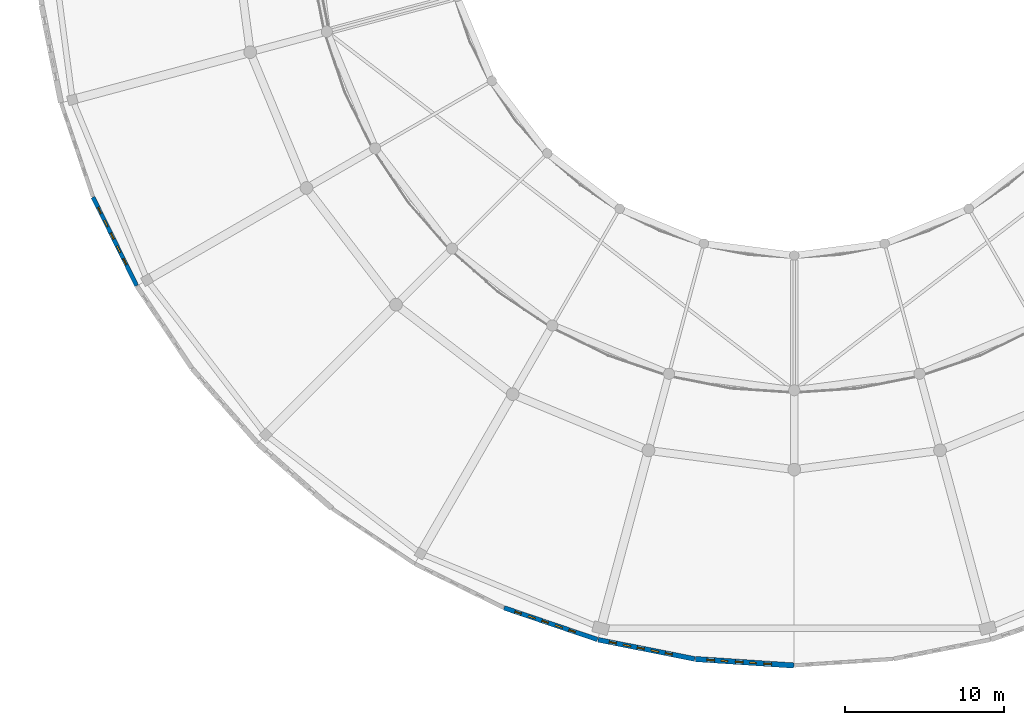
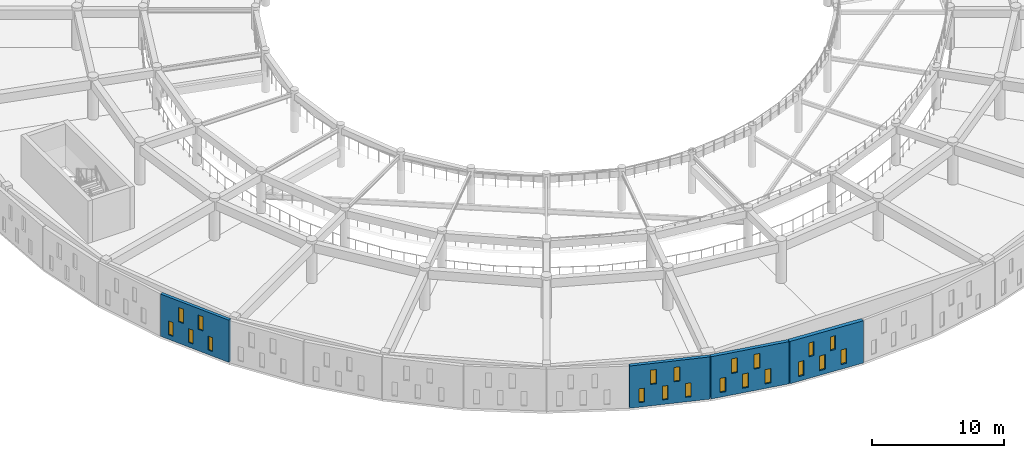
# One storey, part 54 of 98: 20 windows, 4 walls, 20 openings.
"""IFC4 building model written with IfcOpenShell, lengths in metres."""

from ifc_helpers import new_model, si_unit, direction, frame, frame_2d, origin, place, context, subcontext, project, spatial, rectangle, extrude, material, layer, layer_set, type_object, element, fill, save


model = new_model("IFC4")

# Units and contexts
model_context = context("Model", 3, precision=1e-05, world=origin(), true_north=direction((0.0, 1.0)))
body_context = subcontext(model_context, "Body", "Model", "MODEL_VIEW")
ifc_project = project(units=[si_unit("LENGTHUNIT", "METRE"), si_unit("AREAUNIT", "SQUARE_METRE"), si_unit("VOLUMEUNIT", "CUBIC_METRE"), si_unit("PLANEANGLEUNIT", "RADIAN"), si_unit("MASSUNIT", "GRAM", prefix="KILO")], contexts=[model_context])

# Site, building, storey
site_placement = place(None, origin())
site = spatial("IfcSite", under=ifc_project, at=site_placement, CompositionType="ELEMENT")
building_placement = place(site_placement, origin())
building = spatial("IfcBuilding", under=site, at=building_placement, Name="Larkveld Mobility Hub", CompositionType="ELEMENT")
storey_placement = place(building_placement, frame((0.0, 0.0, 4.5)))
storey = spatial("IfcBuildingStorey", under=building, at=storey_placement, Name="L01", CompositionType="ELEMENT", Elevation=4.5)

# Wall, openings, windows
ifc_material_1 = material(Name="Fired clay brick 25 MPa", Category="masonry")
ifc_layer_1 = layer(ifc_material_1, 0.260009765625, Name="Fired clay brick 25 MPa", Category="masonry")
ifc_layer_set_1 = layer_set([ifc_layer_1], Name="Fired clay brick 25 MPa")
wall_type_1 = type_object("IfcWallType", Name="WL-BRK-260", PredefinedType="USERDEFINED", material=ifc_layer_set_1)
wall_1_placement = place(storey_placement, frame((3.802978515625, 29.6669921875, 0.0), z_axis=(0.0, 0.0, 1.0), x_axis=(0.442316740488, -0.896858908126, 0.0)))
wall_1 = element("IfcWall", 1, at=wall_1_placement, inside=storey, type_object=wall_type_1, Name="Drum Woven Open-Bond Brick Chord L01-0072", ObjectType="PERFORATED BRICK SCREEN", PredefinedType="USERDEFINED", context=body_context, shape_type="SweptSolid", body=[
    extrude(rectangle(XDim=6.210693359375, YDim=0.260009765625, at=frame_2d((3.10546875, 0.0))), origin(), (0.0, 0.0, 1.0), 3.89990234375),
])
opening_1_placement = place(wall_1_placement, frame((0.719970703125, 0.0, 0.419921875)))
opening_1 = element("IfcOpeningElement", 2, at=opening_1_placement, cuts=wall_1, Name="Opening W01", PredefinedType="OPENING", context=body_context, shape_type="SweptSolid", body=[
    extrude(rectangle(XDim=0.419921875, YDim=1.280029296875, at=frame_2d((0.2099609375, 0.64013671875))), frame((0.0, 0.14013671875, 0.0), z_axis=(0.0, -1.0, 0.0), x_axis=(1.0, 0.0, 0.0)), (0.0, 0.0, 1.0), 0.280029296875),
])
opening_2_placement = place(wall_1_placement, frame((2.52001953125, 0.0, 0.419921875)))
opening_2 = element("IfcOpeningElement", 3, at=opening_2_placement, cuts=wall_1, Name="Opening W01", PredefinedType="OPENING", context=body_context, shape_type="SweptSolid", body=[
    extrude(rectangle(XDim=0.419921875, YDim=1.280029296875, at=frame_2d((0.2099609375, 0.64013671875))), frame((0.0, 0.14013671875, 0.0), z_axis=(0.0, -1.0, 0.0), x_axis=(1.0, 0.0, 0.0)), (0.0, 0.0, 1.0), 0.280029296875),
])
opening_3_placement = place(wall_1_placement, frame((4.320068359375, 0.0, 0.419921875)))
opening_3 = element("IfcOpeningElement", 4, at=opening_3_placement, cuts=wall_1, Name="Opening W01", PredefinedType="OPENING", context=body_context, shape_type="SweptSolid", body=[
    extrude(rectangle(XDim=0.419921875, YDim=1.280029296875, at=frame_2d((0.2099609375, 0.64013671875))), frame((0.0, 0.14013671875, 0.0), z_axis=(0.0, -1.0, 0.0), x_axis=(1.0, 0.0, 0.0)), (0.0, 0.0, 1.0), 0.280029296875),
])
opening_4_placement = place(wall_1_placement, frame((1.6201171875, 0.0, 1.97998046875)))
opening_4 = element("IfcOpeningElement", 5, at=opening_4_placement, cuts=wall_1, Name="Opening W02", PredefinedType="OPENING", context=body_context, shape_type="SweptSolid", body=[
    extrude(rectangle(XDim=0.449951171875, YDim=1.320068359375, at=frame_2d((0.22509765625, 0.66015625))), frame((0.0, 0.14013671875, 0.0), z_axis=(0.0, -1.0, 0.0), x_axis=(1.0, 0.0, 0.0)), (0.0, 0.0, 1.0), 0.280029296875),
])
opening_5_placement = place(wall_1_placement, frame((3.419921875, 0.0, 1.97998046875)))
opening_5 = element("IfcOpeningElement", 6, at=opening_5_placement, cuts=wall_1, Name="Opening W02", PredefinedType="OPENING", context=body_context, shape_type="SweptSolid", body=[
    extrude(rectangle(XDim=0.449951171875, YDim=1.320068359375, at=frame_2d((0.22509765625, 0.66015625))), frame((0.0, 0.14013671875, 0.0), z_axis=(0.0, -1.0, 0.0), x_axis=(1.0, 0.0, 0.0)), (0.0, 0.0, 1.0), 0.280029296875),
])
ifc_material_2 = material(Name="Extruded aluminium ventilation grille", Category="aluminium")
window_type_1 = type_object("IfcWindowType", Name="WN-VENT-01", PartitioningType="SINGLE_PANEL", PredefinedType="WINDOW", material=ifc_material_2)
window_1_placement = place(opening_1_placement, origin())
window_1 = element("IfcWindow", 7, at=window_1_placement, inside=storey, type_object=window_type_1, Name="Window W01 (0346)", OverallHeight=1.280029296875, OverallWidth=0.419921875, PartitioningType="SINGLE_PANEL", PredefinedType="WINDOW", context=body_context, shape_type="SweptSolid", body=[
    extrude(rectangle(XDim=0.419921875, YDim=1.280029296875, at=frame_2d((0.2099609375, 0.64013671875))), frame((0.0, 0.030029296875, 0.0), z_axis=(0.0, -1.0, 0.0), x_axis=(1.0, 0.0, 0.0)), (0.0, 0.0, 1.0), 0.06005859375),
])
fill(opening_1, window_1)
window_2_placement = place(opening_2_placement, origin())
window_2 = element("IfcWindow", 8, at=window_2_placement, inside=storey, type_object=window_type_1, Name="Window W01 (0347)", OverallHeight=1.280029296875, OverallWidth=0.419921875, PartitioningType="SINGLE_PANEL", PredefinedType="WINDOW", context=body_context, shape_type="SweptSolid", body=[
    extrude(rectangle(XDim=0.419921875, YDim=1.280029296875, at=frame_2d((0.2099609375, 0.64013671875))), frame((0.0, 0.030029296875, 0.0), z_axis=(0.0, -1.0, 0.0), x_axis=(1.0, 0.0, 0.0)), (0.0, 0.0, 1.0), 0.06005859375),
])
fill(opening_2, window_2)
window_3_placement = place(opening_3_placement, origin())
window_3 = element("IfcWindow", 9, at=window_3_placement, inside=storey, type_object=window_type_1, Name="Window W01 (0348)", OverallHeight=1.280029296875, OverallWidth=0.419921875, PartitioningType="SINGLE_PANEL", PredefinedType="WINDOW", context=body_context, shape_type="SweptSolid", body=[
    extrude(rectangle(XDim=0.419921875, YDim=1.280029296875, at=frame_2d((0.2099609375, 0.64013671875))), frame((0.0, 0.030029296875, 0.0), z_axis=(0.0, -1.0, 0.0), x_axis=(1.0, 0.0, 0.0)), (0.0, 0.0, 1.0), 0.06005859375),
])
fill(opening_3, window_3)
window_type_2 = type_object("IfcWindowType", Name="WN-VENT-02", PartitioningType="SINGLE_PANEL", PredefinedType="WINDOW", material=ifc_material_2)
window_4_placement = place(opening_4_placement, origin())
window_4 = element("IfcWindow", 10, at=window_4_placement, inside=storey, type_object=window_type_2, Name="Window W02 (0349)", OverallHeight=1.320068359375, OverallWidth=0.449951171875, PartitioningType="SINGLE_PANEL", PredefinedType="WINDOW", context=body_context, shape_type="SweptSolid", body=[
    extrude(rectangle(XDim=0.449951171875, YDim=1.320068359375, at=frame_2d((0.22509765625, 0.66015625))), frame((0.0, 0.030029296875, 0.0), z_axis=(0.0, -1.0, 0.0), x_axis=(1.0, 0.0, 0.0)), (0.0, 0.0, 1.0), 0.06005859375),
])
fill(opening_4, window_4)
window_5_placement = place(opening_5_placement, origin())
window_5 = element("IfcWindow", 11, at=window_5_placement, inside=storey, type_object=window_type_2, Name="Window W02 (0350)", OverallHeight=1.320068359375, OverallWidth=0.449951171875, PartitioningType="SINGLE_PANEL", PredefinedType="WINDOW", context=body_context, shape_type="SweptSolid", body=[
    extrude(rectangle(XDim=0.449951171875, YDim=1.320068359375, at=frame_2d((0.22509765625, 0.66015625))), frame((0.0, 0.030029296875, 0.0), z_axis=(0.0, -1.0, 0.0), x_axis=(1.0, 0.0, 0.0)), (0.0, 0.0, 1.0), 0.06005859375),
])
fill(opening_5, window_5)

ifc_layer_2 = layer(ifc_material_1, 0.2900390625, Name="Fired clay brick 25 MPa", Category="masonry")
ifc_layer_set_2 = layer_set([ifc_layer_2], Name="Fired clay brick 25 MPa")
wall_type_2 = type_object("IfcWallType", Name="WL-BRK-290", PredefinedType="USERDEFINED", material=ifc_layer_set_2)
wall_2_placement = place(storey_placement, frame((29.7119140625, 3.783935546875, 0.0), z_axis=(0.0, 0.0, 1.0), x_axis=(0.946955417172, -0.321364960579, 0.0)))
wall_2 = element("IfcWall", 12, at=wall_2_placement, inside=storey, type_object=wall_type_2, Name="Drum Woven Open-Bond Brick Chord L01-0078", ObjectType="PERFORATED BRICK SCREEN", PredefinedType="USERDEFINED", context=body_context, shape_type="SweptSolid", body=[
    extrude(rectangle(XDim=6.21044921875, YDim=0.2900390625, at=frame_2d((3.105224609375, 0.0))), origin(), (0.0, 0.0, 1.0), 3.89990234375),
])
opening_6_placement = place(wall_2_placement, frame((0.719970703125, 0.0, 0.419921875)))
opening_6 = element("IfcOpeningElement", 13, at=opening_6_placement, cuts=wall_2, Name="Opening W01", PredefinedType="OPENING", context=body_context, shape_type="SweptSolid", body=[
    extrude(rectangle(XDim=0.419921875, YDim=1.280029296875, at=frame_2d((0.2099609375, 0.64013671875))), frame((0.0, 0.155029296875, 0.0), z_axis=(0.0, -1.0, 0.0), x_axis=(1.0, 0.0, 0.0)), (0.0, 0.0, 1.0), 0.31005859375),
])
opening_7_placement = place(wall_2_placement, frame((2.52001953125, 0.0, 0.419921875)))
opening_7 = element("IfcOpeningElement", 14, at=opening_7_placement, cuts=wall_2, Name="Opening W01", PredefinedType="OPENING", context=body_context, shape_type="SweptSolid", body=[
    extrude(rectangle(XDim=0.419921875, YDim=1.280029296875, at=frame_2d((0.2099609375, 0.64013671875))), frame((0.0, 0.155029296875, 0.0), z_axis=(0.0, -1.0, 0.0), x_axis=(1.0, 0.0, 0.0)), (0.0, 0.0, 1.0), 0.31005859375),
])
opening_8_placement = place(wall_2_placement, frame((4.320068359375, 0.0, 0.419921875)))
opening_8 = element("IfcOpeningElement", 15, at=opening_8_placement, cuts=wall_2, Name="Opening W01", PredefinedType="OPENING", context=body_context, shape_type="SweptSolid", body=[
    extrude(rectangle(XDim=0.419921875, YDim=1.280029296875, at=frame_2d((0.2099609375, 0.64013671875))), frame((0.0, 0.155029296875, 0.0), z_axis=(0.0, -1.0, 0.0), x_axis=(1.0, 0.0, 0.0)), (0.0, 0.0, 1.0), 0.31005859375),
])
opening_9_placement = place(wall_2_placement, frame((1.6201171875, 0.0, 1.97998046875)))
opening_9 = element("IfcOpeningElement", 16, at=opening_9_placement, cuts=wall_2, Name="Opening W02", PredefinedType="OPENING", context=body_context, shape_type="SweptSolid", body=[
    extrude(rectangle(XDim=0.449951171875, YDim=1.320068359375, at=frame_2d((0.22509765625, 0.66015625))), frame((0.0, 0.155029296875, 0.0), z_axis=(0.0, -1.0, 0.0), x_axis=(1.0, 0.0, 0.0)), (0.0, 0.0, 1.0), 0.31005859375),
])
opening_10_placement = place(wall_2_placement, frame((3.419921875, 0.0, 1.97998046875)))
opening_10 = element("IfcOpeningElement", 17, at=opening_10_placement, cuts=wall_2, Name="Opening W02", PredefinedType="OPENING", context=body_context, shape_type="SweptSolid", body=[
    extrude(rectangle(XDim=0.449951171875, YDim=1.320068359375, at=frame_2d((0.22509765625, 0.66015625))), frame((0.0, 0.155029296875, 0.0), z_axis=(0.0, -1.0, 0.0), x_axis=(1.0, 0.0, 0.0)), (0.0, 0.0, 1.0), 0.31005859375),
])
window_6_placement = place(opening_6_placement, origin())
window_6 = element("IfcWindow", 18, at=window_6_placement, inside=storey, type_object=window_type_1, Name="Window W01 (0376)", OverallHeight=1.280029296875, OverallWidth=0.419921875, PartitioningType="SINGLE_PANEL", PredefinedType="WINDOW", context=body_context, shape_type="SweptSolid", body=[
    extrude(rectangle(XDim=0.419921875, YDim=1.280029296875, at=frame_2d((0.2099609375, 0.64013671875))), frame((0.0, 0.030029296875, 0.0), z_axis=(0.0, -1.0, 0.0), x_axis=(1.0, 0.0, 0.0)), (0.0, 0.0, 1.0), 0.06005859375),
])
fill(opening_6, window_6)
window_7_placement = place(opening_7_placement, origin())
window_7 = element("IfcWindow", 19, at=window_7_placement, inside=storey, type_object=window_type_1, Name="Window W01 (0377)", OverallHeight=1.280029296875, OverallWidth=0.419921875, PartitioningType="SINGLE_PANEL", PredefinedType="WINDOW", context=body_context, shape_type="SweptSolid", body=[
    extrude(rectangle(XDim=0.419921875, YDim=1.280029296875, at=frame_2d((0.2099609375, 0.64013671875))), frame((0.0, 0.030029296875, 0.0), z_axis=(0.0, -1.0, 0.0), x_axis=(1.0, 0.0, 0.0)), (0.0, 0.0, 1.0), 0.06005859375),
])
fill(opening_7, window_7)
window_8_placement = place(opening_8_placement, origin())
window_8 = element("IfcWindow", 20, at=window_8_placement, inside=storey, type_object=window_type_1, Name="Window W01 (0378)", OverallHeight=1.280029296875, OverallWidth=0.419921875, PartitioningType="SINGLE_PANEL", PredefinedType="WINDOW", context=body_context, shape_type="SweptSolid", body=[
    extrude(rectangle(XDim=0.419921875, YDim=1.280029296875, at=frame_2d((0.2099609375, 0.64013671875))), frame((0.0, 0.030029296875, 0.0), z_axis=(0.0, -1.0, 0.0), x_axis=(1.0, 0.0, 0.0)), (0.0, 0.0, 1.0), 0.06005859375),
])
fill(opening_8, window_8)
window_9_placement = place(opening_9_placement, origin())
window_9 = element("IfcWindow", 21, at=window_9_placement, inside=storey, type_object=window_type_2, Name="Window W02 (0379)", OverallHeight=1.320068359375, OverallWidth=0.449951171875, PartitioningType="SINGLE_PANEL", PredefinedType="WINDOW", context=body_context, shape_type="SweptSolid", body=[
    extrude(rectangle(XDim=0.449951171875, YDim=1.320068359375, at=frame_2d((0.22509765625, 0.66015625))), frame((0.0, 0.030029296875, 0.0), z_axis=(0.0, -1.0, 0.0), x_axis=(1.0, 0.0, 0.0)), (0.0, 0.0, 1.0), 0.06005859375),
])
fill(opening_9, window_9)
window_10_placement = place(opening_10_placement, origin())
window_10 = element("IfcWindow", 22, at=window_10_placement, inside=storey, type_object=window_type_2, Name="Window W02 (0380)", OverallHeight=1.320068359375, OverallWidth=0.449951171875, PartitioningType="SINGLE_PANEL", PredefinedType="WINDOW", context=body_context, shape_type="SweptSolid", body=[
    extrude(rectangle(XDim=0.449951171875, YDim=1.320068359375, at=frame_2d((0.22509765625, 0.66015625))), frame((0.0, 0.030029296875, 0.0), z_axis=(0.0, -1.0, 0.0), x_axis=(1.0, 0.0, 0.0)), (0.0, 0.0, 1.0), 0.06005859375),
])
fill(opening_10, window_10)

ifc_layer_3 = layer(ifc_material_1, 0.31005859375, Name="Fired clay brick 25 MPa", Category="masonry")
ifc_layer_set_3 = layer_set([ifc_layer_3], Name="Fired clay brick 25 MPa")
wall_type_3 = type_object("IfcWallType", Name="WL-BRK-310", PredefinedType="USERDEFINED", material=ifc_layer_set_3)
wall_3_placement = place(storey_placement, frame((35.639892578125, 1.77490234375, 0.0), z_axis=(0.0, 0.0, 1.0), x_axis=(0.980799338869, -0.195019632022, 0.0)))
wall_3 = element("IfcWall", 23, at=wall_3_placement, inside=storey, type_object=wall_type_3, Name="Drum Woven Open-Bond Brick Chord L01-0079", ObjectType="PERFORATED BRICK SCREEN", PredefinedType="USERDEFINED", context=body_context, shape_type="SweptSolid", body=[
    extrude(rectangle(XDim=6.209228515625, YDim=0.31005859375, at=frame_2d((3.1044921875, 0.0))), origin(), (0.0, 0.0, 1.0), 3.89990234375),
])
opening_11_placement = place(wall_3_placement, frame((0.719970703125, 0.0, 0.419921875)))
opening_11 = element("IfcOpeningElement", 24, at=opening_11_placement, cuts=wall_3, Name="Opening W02", PredefinedType="OPENING", context=body_context, shape_type="SweptSolid", body=[
    extrude(rectangle(XDim=0.449951171875, YDim=1.320068359375, at=frame_2d((0.22509765625, 0.66015625))), frame((0.0, 0.1650390625, 0.0), z_axis=(0.0, -1.0, 0.0), x_axis=(1.0, 0.0, 0.0)), (0.0, 0.0, 1.0), 0.330078125),
])
opening_12_placement = place(wall_3_placement, frame((2.52001953125, 0.0, 0.419921875)))
opening_12 = element("IfcOpeningElement", 25, at=opening_12_placement, cuts=wall_3, Name="Opening W02", PredefinedType="OPENING", context=body_context, shape_type="SweptSolid", body=[
    extrude(rectangle(XDim=0.449951171875, YDim=1.320068359375, at=frame_2d((0.22509765625, 0.66015625))), frame((0.0, 0.1650390625, 0.0), z_axis=(0.0, -1.0, 0.0), x_axis=(1.0, 0.0, 0.0)), (0.0, 0.0, 1.0), 0.330078125),
])
opening_13_placement = place(wall_3_placement, frame((4.320068359375, 0.0, 0.419921875)))
opening_13 = element("IfcOpeningElement", 26, at=opening_13_placement, cuts=wall_3, Name="Opening W02", PredefinedType="OPENING", context=body_context, shape_type="SweptSolid", body=[
    extrude(rectangle(XDim=0.449951171875, YDim=1.320068359375, at=frame_2d((0.22509765625, 0.66015625))), frame((0.0, 0.1650390625, 0.0), z_axis=(0.0, -1.0, 0.0), x_axis=(1.0, 0.0, 0.0)), (0.0, 0.0, 1.0), 0.330078125),
])
opening_14_placement = place(wall_3_placement, frame((1.6201171875, 0.0, 1.97998046875)))
opening_14 = element("IfcOpeningElement", 27, at=opening_14_placement, cuts=wall_3, Name="Opening W03", PredefinedType="OPENING", context=body_context, shape_type="SweptSolid", body=[
    extrude(rectangle(XDim=0.47998046875, YDim=1.360107421875, at=frame_2d((0.239990234375, 0.68017578125))), frame((0.0, 0.1650390625, 0.0), z_axis=(0.0, -1.0, 0.0), x_axis=(1.0, 0.0, 0.0)), (0.0, 0.0, 1.0), 0.330078125),
])
opening_15_placement = place(wall_3_placement, frame((3.419921875, 0.0, 1.97998046875)))
opening_15 = element("IfcOpeningElement", 28, at=opening_15_placement, cuts=wall_3, Name="Opening W03", PredefinedType="OPENING", context=body_context, shape_type="SweptSolid", body=[
    extrude(rectangle(XDim=0.47998046875, YDim=1.360107421875, at=frame_2d((0.239990234375, 0.68017578125))), frame((0.0, 0.1650390625, 0.0), z_axis=(0.0, -1.0, 0.0), x_axis=(1.0, 0.0, 0.0)), (0.0, 0.0, 1.0), 0.330078125),
])
window_11_placement = place(opening_11_placement, origin())
window_11 = element("IfcWindow", 29, at=window_11_placement, inside=storey, type_object=window_type_2, Name="Window W02 (0381)", OverallHeight=1.320068359375, OverallWidth=0.449951171875, PartitioningType="SINGLE_PANEL", PredefinedType="WINDOW", context=body_context, shape_type="SweptSolid", body=[
    extrude(rectangle(XDim=0.449951171875, YDim=1.320068359375, at=frame_2d((0.22509765625, 0.66015625))), frame((0.0, 0.030029296875, 0.0), z_axis=(0.0, -1.0, 0.0), x_axis=(1.0, 0.0, 0.0)), (0.0, 0.0, 1.0), 0.06005859375),
])
fill(opening_11, window_11)
window_12_placement = place(opening_12_placement, origin())
window_12 = element("IfcWindow", 30, at=window_12_placement, inside=storey, type_object=window_type_2, Name="Window W02 (0382)", OverallHeight=1.320068359375, OverallWidth=0.449951171875, PartitioningType="SINGLE_PANEL", PredefinedType="WINDOW", context=body_context, shape_type="SweptSolid", body=[
    extrude(rectangle(XDim=0.449951171875, YDim=1.320068359375, at=frame_2d((0.22509765625, 0.66015625))), frame((0.0, 0.030029296875, 0.0), z_axis=(0.0, -1.0, 0.0), x_axis=(1.0, 0.0, 0.0)), (0.0, 0.0, 1.0), 0.06005859375),
])
fill(opening_12, window_12)
window_13_placement = place(opening_13_placement, origin())
window_13 = element("IfcWindow", 31, at=window_13_placement, inside=storey, type_object=window_type_2, Name="Window W02 (0383)", OverallHeight=1.320068359375, OverallWidth=0.449951171875, PartitioningType="SINGLE_PANEL", PredefinedType="WINDOW", context=body_context, shape_type="SweptSolid", body=[
    extrude(rectangle(XDim=0.449951171875, YDim=1.320068359375, at=frame_2d((0.22509765625, 0.66015625))), frame((0.0, 0.030029296875, 0.0), z_axis=(0.0, -1.0, 0.0), x_axis=(1.0, 0.0, 0.0)), (0.0, 0.0, 1.0), 0.06005859375),
])
fill(opening_13, window_13)
window_type_3 = type_object("IfcWindowType", Name="WN-VENT-03", PartitioningType="SINGLE_PANEL", PredefinedType="WINDOW", material=ifc_material_2)
window_14_placement = place(opening_14_placement, origin())
window_14 = element("IfcWindow", 32, at=window_14_placement, inside=storey, type_object=window_type_3, Name="Window W03 (0384)", OverallHeight=1.360107421875, OverallWidth=0.47998046875, PartitioningType="SINGLE_PANEL", PredefinedType="WINDOW", context=body_context, shape_type="SweptSolid", body=[
    extrude(rectangle(XDim=0.47998046875, YDim=1.360107421875, at=frame_2d((0.239990234375, 0.68017578125))), frame((0.0, 0.030029296875, 0.0), z_axis=(0.0, -1.0, 0.0), x_axis=(1.0, 0.0, 0.0)), (0.0, 0.0, 1.0), 0.06005859375),
])
fill(opening_14, window_14)
window_15_placement = place(opening_15_placement, origin())
window_15 = element("IfcWindow", 33, at=window_15_placement, inside=storey, type_object=window_type_3, Name="Window W03 (0385)", OverallHeight=1.360107421875, OverallWidth=0.47998046875, PartitioningType="SINGLE_PANEL", PredefinedType="WINDOW", context=body_context, shape_type="SweptSolid", body=[
    extrude(rectangle(XDim=0.47998046875, YDim=1.360107421875, at=frame_2d((0.239990234375, 0.68017578125))), frame((0.0, 0.030029296875, 0.0), z_axis=(0.0, -1.0, 0.0), x_axis=(1.0, 0.0, 0.0)), (0.0, 0.0, 1.0), 0.06005859375),
])
fill(opening_15, window_15)

ifc_layer_4 = layer(ifc_material_1, 0.340087890625, Name="Fired clay brick 25 MPa", Category="masonry")
ifc_layer_set_4 = layer_set([ifc_layer_4], Name="Fired clay brick 25 MPa")
wall_type_4 = type_object("IfcWallType", Name="WL-BRK-340", PredefinedType="USERDEFINED", material=ifc_layer_set_4)
wall_4_placement = place(storey_placement, frame((41.778076171875, 0.556884765625, 0.0), z_axis=(0.0, 0.0, 1.0), x_axis=(0.997874164219, -0.065170180182, 0.0)))
wall_4 = element("IfcWall", 34, at=wall_4_placement, inside=storey, type_object=wall_type_4, Name="Drum Woven Open-Bond Brick Chord L01-0080", ObjectType="PERFORATED BRICK SCREEN", PredefinedType="USERDEFINED", context=body_context, shape_type="SweptSolid", body=[
    extrude(rectangle(XDim=6.211181640625, YDim=0.340087890625, at=frame_2d((3.10546875, 0.0))), origin(), (0.0, 0.0, 1.0), 3.89990234375),
])
opening_16_placement = place(wall_4_placement, frame((0.719970703125, 0.0, 0.419921875)))
opening_16 = element("IfcOpeningElement", 35, at=opening_16_placement, cuts=wall_4, Name="Opening W03", PredefinedType="OPENING", context=body_context, shape_type="SweptSolid", body=[
    extrude(rectangle(XDim=0.47998046875, YDim=1.360107421875, at=frame_2d((0.239990234375, 0.68017578125))), frame((0.0, 0.18017578125, 0.0), z_axis=(0.0, -1.0, 0.0), x_axis=(1.0, 0.0, 0.0)), (0.0, 0.0, 1.0), 0.360107421875),
])
opening_17_placement = place(wall_4_placement, frame((2.52001953125, 0.0, 0.419921875)))
opening_17 = element("IfcOpeningElement", 36, at=opening_17_placement, cuts=wall_4, Name="Opening W03", PredefinedType="OPENING", context=body_context, shape_type="SweptSolid", body=[
    extrude(rectangle(XDim=0.47998046875, YDim=1.360107421875, at=frame_2d((0.239990234375, 0.68017578125))), frame((0.0, 0.18017578125, 0.0), z_axis=(0.0, -1.0, 0.0), x_axis=(1.0, 0.0, 0.0)), (0.0, 0.0, 1.0), 0.360107421875),
])
opening_18_placement = place(wall_4_placement, frame((4.320068359375, 0.0, 0.419921875)))
opening_18 = element("IfcOpeningElement", 37, at=opening_18_placement, cuts=wall_4, Name="Opening W03", PredefinedType="OPENING", context=body_context, shape_type="SweptSolid", body=[
    extrude(rectangle(XDim=0.47998046875, YDim=1.360107421875, at=frame_2d((0.239990234375, 0.68017578125))), frame((0.0, 0.18017578125, 0.0), z_axis=(0.0, -1.0, 0.0), x_axis=(1.0, 0.0, 0.0)), (0.0, 0.0, 1.0), 0.360107421875),
])
opening_19_placement = place(wall_4_placement, frame((1.6201171875, 0.0, 1.97998046875)))
opening_19 = element("IfcOpeningElement", 38, at=opening_19_placement, cuts=wall_4, Name="Opening W01", PredefinedType="OPENING", context=body_context, shape_type="SweptSolid", body=[
    extrude(rectangle(XDim=0.419921875, YDim=1.280029296875, at=frame_2d((0.2099609375, 0.64013671875))), frame((0.0, 0.18017578125, 0.0), z_axis=(0.0, -1.0, 0.0), x_axis=(1.0, 0.0, 0.0)), (0.0, 0.0, 1.0), 0.360107421875),
])
opening_20_placement = place(wall_4_placement, frame((3.419921875, 0.0, 1.97998046875)))
opening_20 = element("IfcOpeningElement", 39, at=opening_20_placement, cuts=wall_4, Name="Opening W01", PredefinedType="OPENING", context=body_context, shape_type="SweptSolid", body=[
    extrude(rectangle(XDim=0.419921875, YDim=1.280029296875, at=frame_2d((0.2099609375, 0.64013671875))), frame((0.0, 0.18017578125, 0.0), z_axis=(0.0, -1.0, 0.0), x_axis=(1.0, 0.0, 0.0)), (0.0, 0.0, 1.0), 0.360107421875),
])
window_16_placement = place(opening_19_placement, origin())
window_16 = element("IfcWindow", 40, at=window_16_placement, inside=storey, type_object=window_type_1, Name="Window W01 (0389)", OverallHeight=1.280029296875, OverallWidth=0.419921875, PartitioningType="SINGLE_PANEL", PredefinedType="WINDOW", context=body_context, shape_type="SweptSolid", body=[
    extrude(rectangle(XDim=0.419921875, YDim=1.280029296875, at=frame_2d((0.2099609375, 0.64013671875))), frame((0.0, 0.030029296875, 0.0), z_axis=(0.0, -1.0, 0.0), x_axis=(1.0, 0.0, 0.0)), (0.0, 0.0, 1.0), 0.06005859375),
])
fill(opening_19, window_16)
window_17_placement = place(opening_20_placement, origin())
window_17 = element("IfcWindow", 41, at=window_17_placement, inside=storey, type_object=window_type_1, Name="Window W01 (0390)", OverallHeight=1.280029296875, OverallWidth=0.419921875, PartitioningType="SINGLE_PANEL", PredefinedType="WINDOW", context=body_context, shape_type="SweptSolid", body=[
    extrude(rectangle(XDim=0.419921875, YDim=1.280029296875, at=frame_2d((0.2099609375, 0.64013671875))), frame((0.0, 0.030029296875, 0.0), z_axis=(0.0, -1.0, 0.0), x_axis=(1.0, 0.0, 0.0)), (0.0, 0.0, 1.0), 0.06005859375),
])
fill(opening_20, window_17)
window_18_placement = place(opening_16_placement, origin())
window_18 = element("IfcWindow", 42, at=window_18_placement, inside=storey, type_object=window_type_3, Name="Window W03 (0386)", OverallHeight=1.360107421875, OverallWidth=0.47998046875, PartitioningType="SINGLE_PANEL", PredefinedType="WINDOW", context=body_context, shape_type="SweptSolid", body=[
    extrude(rectangle(XDim=0.47998046875, YDim=1.360107421875, at=frame_2d((0.239990234375, 0.68017578125))), frame((0.0, 0.030029296875, 0.0), z_axis=(0.0, -1.0, 0.0), x_axis=(1.0, 0.0, 0.0)), (0.0, 0.0, 1.0), 0.06005859375),
])
fill(opening_16, window_18)
window_19_placement = place(opening_17_placement, origin())
window_19 = element("IfcWindow", 43, at=window_19_placement, inside=storey, type_object=window_type_3, Name="Window W03 (0387)", OverallHeight=1.360107421875, OverallWidth=0.47998046875, PartitioningType="SINGLE_PANEL", PredefinedType="WINDOW", context=body_context, shape_type="SweptSolid", body=[
    extrude(rectangle(XDim=0.47998046875, YDim=1.360107421875, at=frame_2d((0.239990234375, 0.68017578125))), frame((0.0, 0.030029296875, 0.0), z_axis=(0.0, -1.0, 0.0), x_axis=(1.0, 0.0, 0.0)), (0.0, 0.0, 1.0), 0.06005859375),
])
fill(opening_17, window_19)
window_20_placement = place(opening_18_placement, origin())
window_20 = element("IfcWindow", 44, at=window_20_placement, inside=storey, type_object=window_type_3, Name="Window W03 (0388)", OverallHeight=1.360107421875, OverallWidth=0.47998046875, PartitioningType="SINGLE_PANEL", PredefinedType="WINDOW", context=body_context, shape_type="SweptSolid", body=[
    extrude(rectangle(XDim=0.47998046875, YDim=1.360107421875, at=frame_2d((0.239990234375, 0.68017578125))), frame((0.0, 0.030029296875, 0.0), z_axis=(0.0, -1.0, 0.0), x_axis=(1.0, 0.0, 0.0)), (0.0, 0.0, 1.0), 0.06005859375),
])
fill(opening_18, window_20)

save(model, "model.ifc")
